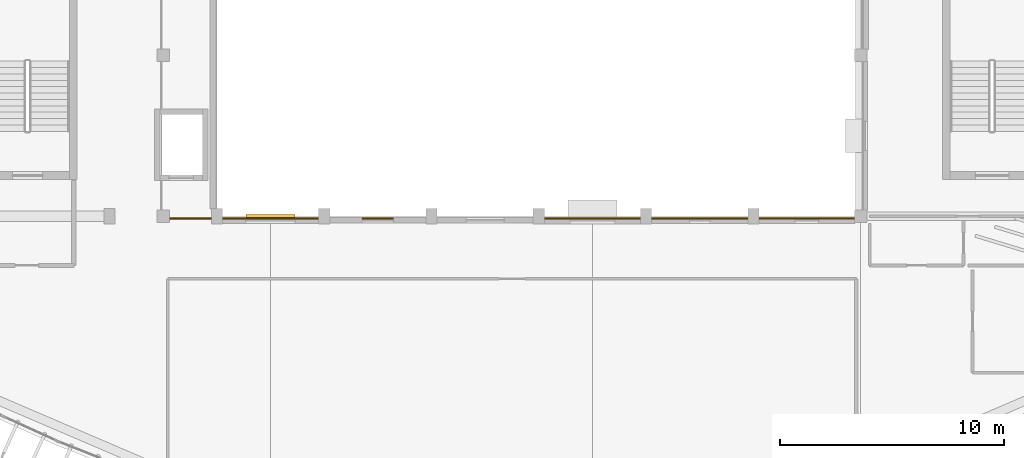
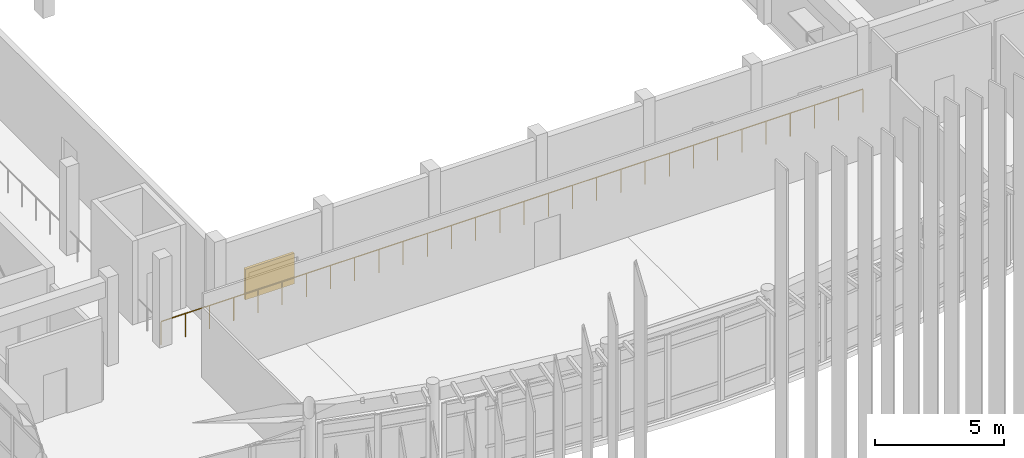
# One storey, part 40 of 47: 1 railing, 1 shading device.
"""IFC4 building model written with IfcOpenShell, lengths in metres."""

from ifc_helpers import new_model, si_unit, direction, frame, origin, origin_2d, place, context, subcontext, project, spatial, rectangle, circle, extrude, material, layer, layer_set, type_object, element, save


model = new_model("IFC4")

# Units and contexts
model_context = context("Model", 3, precision=1e-05, world=origin(), true_north=direction((0.0, 1.0)))
body_context = subcontext(model_context, "Body", "Model", "MODEL_VIEW")
ifc_project = project(units=[si_unit("LENGTHUNIT", "METRE"), si_unit("AREAUNIT", "SQUARE_METRE"), si_unit("VOLUMEUNIT", "CUBIC_METRE"), si_unit("PLANEANGLEUNIT", "RADIAN"), si_unit("MASSUNIT", "GRAM", prefix="KILO")], contexts=[model_context])

# Site, building, storey
site_placement = place(None, origin())
site = spatial("IfcSite", under=ifc_project, at=site_placement, CompositionType="ELEMENT")
building_placement = place(site_placement, origin())
building = spatial("IfcBuilding", under=site, at=building_placement, Name="Brisavento Harbour Community Centre", CompositionType="ELEMENT")
storey_placement = place(building_placement, frame((0.0, 0.0, 8.699951171875)))
storey = spatial("IfcBuildingStorey", under=building, at=storey_placement, Name="L02", CompositionType="ELEMENT", Elevation=8.699951171875)

# Railing
ifc_material_1 = material(Name="Stainless steel 1.4401", Category="steel")
railing_type = type_object("IfcRailingType", Name="RL-ATR-BAL", PredefinedType="BALUSTRADE", material=ifc_material_1)
railing_placement = place(storey_placement, frame((9.5, 14.300048828125, 0.0)))
element("IfcRailing", 1, at=railing_placement, inside=storey, type_object=railing_type, Name="L02 atrium and gallery balustrade BAL-V1-HALL-S", PredefinedType="BALUSTRADE", context=body_context, shape_type="SweptSolid", body=[
    extrude(circle(Radius=0.02392578125, at=origin_2d()), frame((0.0, 0.0, 1.09619140625), z_axis=(1.0, 0.0, 0.0), x_axis=(0.0, 1.0, 0.0)), (0.0, 0.0, 1.0), 31.39990234375),
    extrude(circle(Radius=0.02099609375, at=origin_2d()), origin(), (0.0, 0.0, 1.0), 1.072021484375),
    extrude(circle(Radius=0.02099609375, at=origin_2d()), frame((1.082763671875, 0.0, 0.0)), (0.0, 0.0, 1.0), 1.072021484375),
    extrude(circle(Radius=0.02099609375, at=origin_2d()), frame((2.16552734375, 0.0, 0.0)), (0.0, 0.0, 1.0), 1.072021484375),
    extrude(circle(Radius=0.02099609375, at=origin_2d()), frame((3.248291015625, 0.0, 0.0)), (0.0, 0.0, 1.0), 1.072021484375),
    extrude(circle(Radius=0.02099609375, at=origin_2d()), frame((4.3310546875, 0.0, 0.0)), (0.0, 0.0, 1.0), 1.072021484375),
    extrude(circle(Radius=0.02099609375, at=origin_2d()), frame((5.413818359375, 0.0, 0.0)), (0.0, 0.0, 1.0), 1.072021484375),
    extrude(circle(Radius=0.02099609375, at=origin_2d()), frame((6.49658203125, 0.0, 0.0)), (0.0, 0.0, 1.0), 1.072021484375),
    extrude(circle(Radius=0.02099609375, at=origin_2d()), frame((7.579345703125, 0.0, 0.0)), (0.0, 0.0, 1.0), 1.072021484375),
    extrude(circle(Radius=0.02099609375, at=origin_2d()), frame((8.662109375, 0.0, 0.0)), (0.0, 0.0, 1.0), 1.072021484375),
    extrude(circle(Radius=0.02099609375, at=origin_2d()), frame((9.744873046875, 0.0, 0.0)), (0.0, 0.0, 1.0), 1.072021484375),
    extrude(circle(Radius=0.02099609375, at=origin_2d()), frame((10.82763671875, 0.0, 0.0)), (0.0, 0.0, 1.0), 1.072021484375),
    extrude(circle(Radius=0.02099609375, at=origin_2d()), frame((11.910400390625, 0.0, 0.0)), (0.0, 0.0, 1.0), 1.072021484375),
    extrude(circle(Radius=0.02099609375, at=origin_2d()), frame((12.9931640625, 0.0, 0.0)), (0.0, 0.0, 1.0), 1.072021484375),
    extrude(circle(Radius=0.02099609375, at=origin_2d()), frame((14.075927734375, 0.0, 0.0)), (0.0, 0.0, 1.0), 1.072021484375),
    extrude(circle(Radius=0.02099609375, at=origin_2d()), frame((15.15869140625, 0.0, 0.0)), (0.0, 0.0, 1.0), 1.072021484375),
    extrude(circle(Radius=0.02099609375, at=origin_2d()), frame((16.2412109375, 0.0, 0.0)), (0.0, 0.0, 1.0), 1.072021484375),
    extrude(circle(Radius=0.02099609375, at=origin_2d()), frame((17.323974609375, 0.0, 0.0)), (0.0, 0.0, 1.0), 1.072021484375),
    extrude(circle(Radius=0.02099609375, at=origin_2d()), frame((18.40673828125, 0.0, 0.0)), (0.0, 0.0, 1.0), 1.072021484375),
    extrude(circle(Radius=0.02099609375, at=origin_2d()), frame((19.489501953125, 0.0, 0.0)), (0.0, 0.0, 1.0), 1.072021484375),
    extrude(circle(Radius=0.02099609375, at=origin_2d()), frame((20.572265625, 0.0, 0.0)), (0.0, 0.0, 1.0), 1.072021484375),
    extrude(circle(Radius=0.02099609375, at=origin_2d()), frame((21.655029296875, 0.0, 0.0)), (0.0, 0.0, 1.0), 1.072021484375),
    extrude(circle(Radius=0.02099609375, at=origin_2d()), frame((22.73779296875, 0.0, 0.0)), (0.0, 0.0, 1.0), 1.072021484375),
    extrude(circle(Radius=0.02099609375, at=origin_2d()), frame((23.820556640625, 0.0, 0.0)), (0.0, 0.0, 1.0), 1.072021484375),
    extrude(circle(Radius=0.02099609375, at=origin_2d()), frame((24.9033203125, 0.0, 0.0)), (0.0, 0.0, 1.0), 1.072021484375),
    extrude(circle(Radius=0.02099609375, at=origin_2d()), frame((25.986083984375, 0.0, 0.0)), (0.0, 0.0, 1.0), 1.072021484375),
    extrude(circle(Radius=0.02099609375, at=origin_2d()), frame((27.06884765625, 0.0, 0.0)), (0.0, 0.0, 1.0), 1.072021484375),
    extrude(circle(Radius=0.02099609375, at=origin_2d()), frame((28.151611328125, 0.0, 0.0)), (0.0, 0.0, 1.0), 1.072021484375),
    extrude(circle(Radius=0.02099609375, at=origin_2d()), frame((29.234375, 0.0, 0.0)), (0.0, 0.0, 1.0), 1.072021484375),
    extrude(circle(Radius=0.02099609375, at=origin_2d()), frame((30.317138671875, 0.0, 0.0)), (0.0, 0.0, 1.0), 1.072021484375),
    extrude(circle(Radius=0.02099609375, at=origin_2d()), frame((31.39990234375, 0.0, 0.0)), (0.0, 0.0, 1.0), 1.072021484375),
])

# Shading device
ifc_material_2 = material(Name="Marine-anodised aluminium AW-6063-T6", Category="aluminium")
ifc_layer = layer(ifc_material_2, 0.1201171875, Name="Marine-anodised aluminium AW-6063-T6")
ifc_layer_set = layer_set([ifc_layer], Name="Marine-anodised aluminium AW-6063-T6")
shading_device_type = type_object("IfcShadingDeviceType", Name="SHD-LOUVRE", PredefinedType="JALOUSIE", material=ifc_layer_set)
shading_device_placement = place(storey_placement, frame((14.39990234375, 14.4150390625, 0.75), z_axis=(0.0, 0.0, 1.0), x_axis=(1.0, 0.0, 0.0)))
element("IfcShadingDevice", 2, at=shading_device_placement, inside=storey, type_object=shading_device_type, Name="L02 hurricane storm louvre 28", PredefinedType="JALOUSIE", context=body_context, shape_type="SweptSolid", body=[
    extrude(rectangle(XDim=2.199951171875, YDim=0.1201171875, at=origin_2d()), origin(), (0.0, 0.0, 1.0), 1.449951171875),
])

save(model, "model.ifc")
